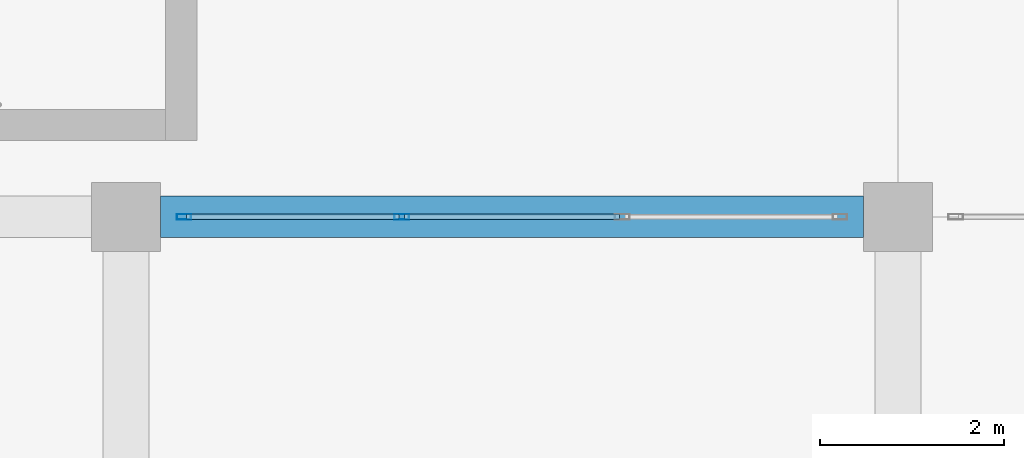
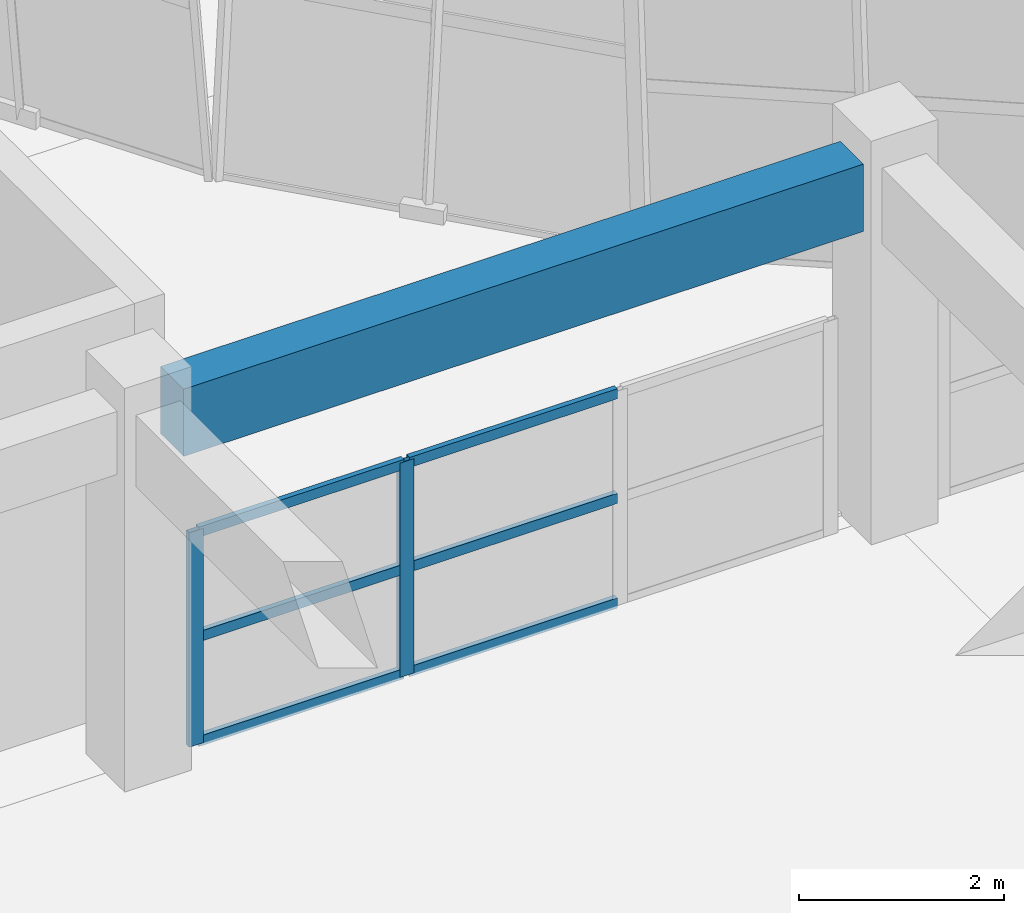
# One storey, part 11 of 72: 8 members, 1 beam, 1 element without a shape of its own.
"""IFC4 building model written with IfcOpenShell, lengths in metres."""

from ifc_helpers import new_model, si_unit, direction, frame, origin, origin_2d, place, context, subcontext, project, spatial, rectangle, hollow_rectangle, extrude, material, material_profile, profile_set, type_object, element, aggregate, save


model = new_model("IFC4")

# Units and contexts
model_context = context("Model", 3, precision=1e-05, world=origin(), true_north=direction((0.0, 1.0)))
body_context = subcontext(model_context, "Body", "Model", "MODEL_VIEW")
ifc_project = project(units=[si_unit("LENGTHUNIT", "METRE"), si_unit("AREAUNIT", "SQUARE_METRE"), si_unit("VOLUMEUNIT", "CUBIC_METRE"), si_unit("PLANEANGLEUNIT", "RADIAN"), si_unit("MASSUNIT", "GRAM", prefix="KILO")], contexts=[model_context])

# Site, building, storey
site_placement = place(None, origin())
site = spatial("IfcSite", under=ifc_project, at=site_placement, CompositionType="ELEMENT")
building_placement = place(site_placement, origin())
building = spatial("IfcBuilding", under=site, at=building_placement, Name="Korsvaeld Concert Hall", CompositionType="ELEMENT")
storey_placement = place(building_placement, origin())
storey = spatial("IfcBuildingStorey", under=building, at=storey_placement, Name="L00", CompositionType="ELEMENT", Elevation=0.0)

# Beam
ifc_material_1 = material(Name="Concrete C35/45", Category="concrete")
ifc_material_profile_1 = material_profile(ifc_material_1, rectangle(XDim=0.449951171875, YDim=0.800048828125, at=origin_2d()), Name="RC 450x800")
ifc_profile_set_1 = profile_set([ifc_material_profile_1], Name="Concrete C35/45")
beam_type = type_object("IfcBeamType", Name="BM-RC-450x800", PredefinedType="T_BEAM", material=ifc_profile_set_1)
beam_placement = place(storey_placement, frame((59.175048828125, 43.199951171875, 4.0400390625), z_axis=(1.0, 0.0, 0.0), x_axis=(0.0, 1.0, 0.0)))
element("IfcBeam", 1, at=beam_placement, inside=storey, type_object=beam_type, Name="Primary girder 9-10/G L00", PredefinedType="T_BEAM", context=body_context, shape_type="SweptSolid", body=[
    extrude(rectangle(XDim=0.449951171875, YDim=0.800048828125, at=origin_2d()), origin(), (0.0, 0.0, 1.0), 7.64990234375),
])

# Curtain wall, members
ifc_material_2 = material(Name="Anodised bronze and ceramic-fritted safety glass", Category="glass")
curtain_wall_type = type_object("IfcCurtainWallType", Name="CW-TYPE-11", PredefinedType="USERDEFINED", material=ifc_material_2)
curtain_wall_placement = place(storey_placement, origin())
curtain_wall = element("IfcCurtainWall", 2, at=curtain_wall_placement, inside=storey, type_object=curtain_wall_type, Name="Glazed foyer acoustic screen L00-19", ObjectType="CURTAIN WALL", PredefinedType="USERDEFINED")
ifc_material_3 = material(Name="Anodised architectural bronze aluminium", Category="aluminium")
ifc_material_profile_2 = material_profile(ifc_material_3, hollow_rectangle(XDim=0.06005859375, YDim=0.159912109375, WallThickness=0.00390625, at=origin_2d()), Name="CWM 160x60x4")
ifc_profile_set_2 = profile_set([ifc_material_profile_2], Name="Anodised architectural bronze aluminium")
member_type_1 = type_object("IfcMemberType", Name="CWM-ALUM-160x60", PredefinedType="MULLION", material=ifc_profile_set_2)
member_1_placement = place(storey_placement, frame((59.429931640625, 43.199951171875, 0.0), z_axis=(0.0, 0.0, 1.0), x_axis=(0.0, 1.0, 0.0)))
member_1 = element("IfcMember", 3, at=member_1_placement, type_object=member_type_1, Name="CW-11 mullion 1", PredefinedType="MULLION", context=body_context, shape_type="SweptSolid", body=[
    extrude(hollow_rectangle(XDim=0.06005859375, YDim=0.159912109375, WallThickness=0.00390625, at=origin_2d()), origin(), (0.0, 0.0, 1.0), 2.550048828125),
])
member_2_placement = place(storey_placement, frame((61.800048828125, 43.199951171875, 0.0), z_axis=(0.0, 0.0, 1.0), x_axis=(0.0, 1.0, 0.0)))
member_2 = element("IfcMember", 4, at=member_2_placement, type_object=member_type_1, Name="CW-11 mullion 2", PredefinedType="MULLION", context=body_context, shape_type="SweptSolid", body=[
    extrude(hollow_rectangle(XDim=0.06005859375, YDim=0.159912109375, WallThickness=0.00390625, at=origin_2d()), origin(), (0.0, 0.0, 1.0), 2.550048828125),
])
ifc_material_profile_3 = material_profile(ifc_material_3, hollow_rectangle(XDim=0.06005859375, YDim=0.1201171875, WallThickness=0.00390625, at=origin_2d()), Name="CWT 120x60x4")
ifc_profile_set_3 = profile_set([ifc_material_profile_3], Name="Anodised architectural bronze aluminium")
member_type_2 = type_object("IfcMemberType", Name="CWT-ALUM-120x60", PredefinedType="USERDEFINED", material=ifc_profile_set_3)
member_3_placement = place(storey_placement, frame((59.4599609375, 43.199951171875, 0.030029296875), z_axis=(1.0, 0.0, 0.0), x_axis=(0.0, 1.0, 0.0)))
member_3 = element("IfcMember", 5, at=member_3_placement, type_object=member_type_2, Name="CW-11 transom 1.1", ObjectType="TRANSOM", PredefinedType="USERDEFINED", context=body_context, shape_type="SweptSolid", body=[
    extrude(hollow_rectangle(XDim=0.06005859375, YDim=0.1201171875, WallThickness=0.00390625, at=origin_2d()), origin(), (0.0, 0.0, 1.0), 2.31005859375),
])
member_4_placement = place(storey_placement, frame((59.4599609375, 43.199951171875, 1.27490234375), z_axis=(1.0, 0.0, 0.0), x_axis=(0.0, 1.0, 0.0)))
member_4 = element("IfcMember", 6, at=member_4_placement, type_object=member_type_2, Name="CW-11 transom 1.2", ObjectType="TRANSOM", PredefinedType="USERDEFINED", context=body_context, shape_type="SweptSolid", body=[
    extrude(hollow_rectangle(XDim=0.06005859375, YDim=0.1201171875, WallThickness=0.00390625, at=origin_2d()), origin(), (0.0, 0.0, 1.0), 2.31005859375),
])
member_5_placement = place(storey_placement, frame((59.4599609375, 43.199951171875, 2.52001953125), z_axis=(1.0, 0.0, 0.0), x_axis=(0.0, 1.0, 0.0)))
member_5 = element("IfcMember", 7, at=member_5_placement, type_object=member_type_2, Name="CW-11 transom 1.3", ObjectType="TRANSOM", PredefinedType="USERDEFINED", context=body_context, shape_type="SweptSolid", body=[
    extrude(hollow_rectangle(XDim=0.06005859375, YDim=0.1201171875, WallThickness=0.00390625, at=origin_2d()), origin(), (0.0, 0.0, 1.0), 2.31005859375),
])
member_6_placement = place(storey_placement, frame((61.830078125, 43.199951171875, 0.030029296875), z_axis=(1.0, 0.0, 0.0), x_axis=(0.0, 1.0, 0.0)))
member_6 = element("IfcMember", 8, at=member_6_placement, type_object=member_type_2, Name="CW-11 transom 2.1", ObjectType="TRANSOM", PredefinedType="USERDEFINED", context=body_context, shape_type="SweptSolid", body=[
    extrude(hollow_rectangle(XDim=0.06005859375, YDim=0.1201171875, WallThickness=0.00390625, at=origin_2d()), origin(), (0.0, 0.0, 1.0), 2.33984375),
])
member_7_placement = place(storey_placement, frame((61.830078125, 43.199951171875, 1.27490234375), z_axis=(1.0, 0.0, 0.0), x_axis=(0.0, 1.0, 0.0)))
member_7 = element("IfcMember", 9, at=member_7_placement, type_object=member_type_2, Name="CW-11 transom 2.2", ObjectType="TRANSOM", PredefinedType="USERDEFINED", context=body_context, shape_type="SweptSolid", body=[
    extrude(hollow_rectangle(XDim=0.06005859375, YDim=0.1201171875, WallThickness=0.00390625, at=origin_2d()), origin(), (0.0, 0.0, 1.0), 2.33984375),
])
member_8_placement = place(storey_placement, frame((61.830078125, 43.199951171875, 2.52001953125), z_axis=(1.0, 0.0, 0.0), x_axis=(0.0, 1.0, 0.0)))
member_8 = element("IfcMember", 10, at=member_8_placement, type_object=member_type_2, Name="CW-11 transom 2.3", ObjectType="TRANSOM", PredefinedType="USERDEFINED", context=body_context, shape_type="SweptSolid", body=[
    extrude(hollow_rectangle(XDim=0.06005859375, YDim=0.1201171875, WallThickness=0.00390625, at=origin_2d()), origin(), (0.0, 0.0, 1.0), 2.33984375),
])
aggregate(curtain_wall, [member_1, member_2, member_3, member_4, member_5, member_6, member_7, member_8])

save(model, "model.ifc")
